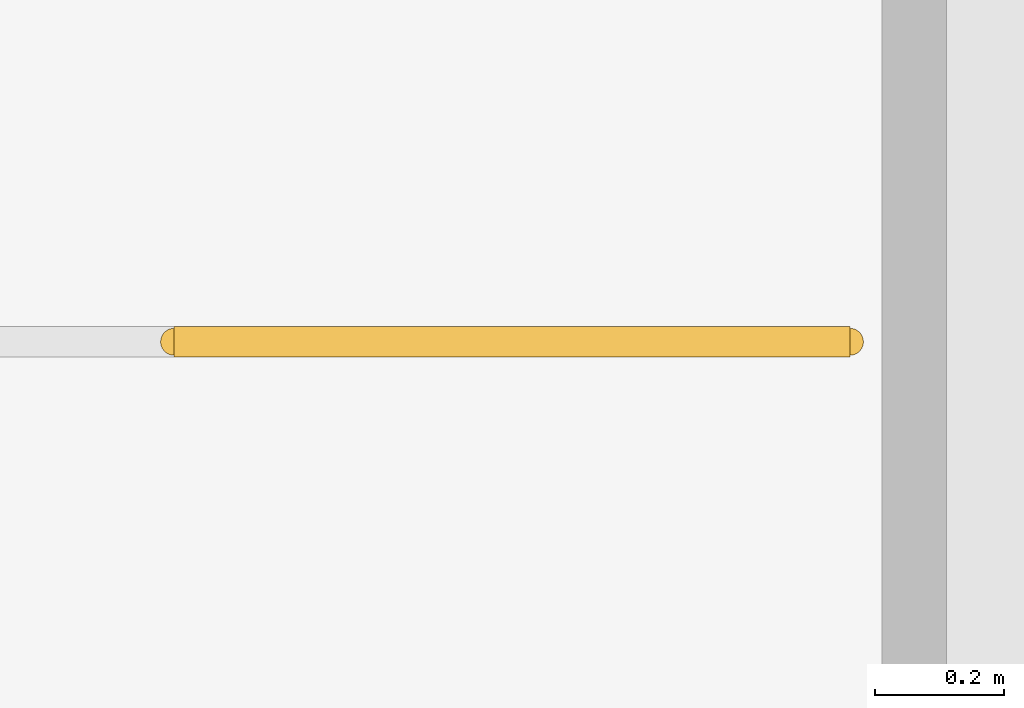
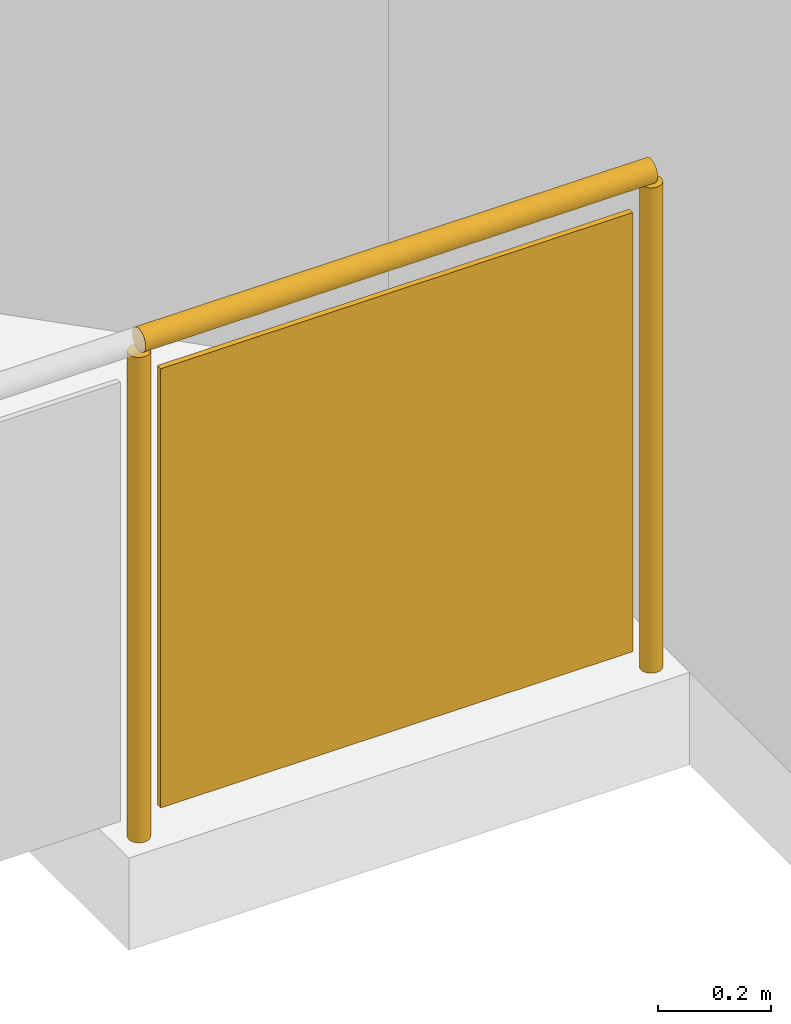
# One storey, part 21 of 21: 1 railing.
"""IFC4 building model written with IfcOpenShell, lengths in metres."""

from ifc_helpers import new_model, si_unit, direction, frame, origin, origin_2d, place, context, subcontext, project, spatial, polyline, circle, outline, extrude, material, type_object, element, save


model = new_model("IFC4")

# Units and contexts
model_context = context("Model", 3, precision=1e-05, world=origin(), true_north=direction((0.0, 1.0)))
body_context = subcontext(model_context, "Body", "Model", "MODEL_VIEW")
ifc_project = project(units=[si_unit("LENGTHUNIT", "METRE"), si_unit("AREAUNIT", "SQUARE_METRE"), si_unit("VOLUMEUNIT", "CUBIC_METRE"), si_unit("PLANEANGLEUNIT", "RADIAN"), si_unit("MASSUNIT", "GRAM", prefix="KILO")], contexts=[model_context])

# Site, building, storey
site_placement = place(None, origin())
site = spatial("IfcSite", under=ifc_project, at=site_placement, CompositionType="ELEMENT")
building_placement = place(site_placement, origin())
building = spatial("IfcBuilding", under=site, at=building_placement, Name="Torre Alcanfor", CompositionType="ELEMENT")
storey_placement = place(building_placement, frame((0.0, 0.0, 24.0)))
storey = spatial("IfcBuildingStorey", under=building, at=storey_placement, Name="L05", CompositionType="ELEMENT", Elevation=24.0)

# Railing
ifc_material = material(Name="Steel ASTM A500 Grade C hollow sections", Category="steel")
railing_type = type_object("IfcRailingType", Name="Stair guard and handrail 1100", PredefinedType="GUARDRAIL", material=ifc_material)
railing_placement = place(storey_placement, frame((59.449951171875, 56.625, 0.0)))
element("IfcRailing", 1, at=railing_placement, inside=storey, type_object=railing_type, Name="Stair well guard SS4 L05 facade strip", PredefinedType="GUARDRAIL", context=body_context, shape_type="SweptSolid", body=[
    extrude(circle(Radius=0.02392578125, at=origin_2d()), frame((0.0, 0.0, 1.076171875), z_axis=(-1.0, 0.0, 0.0), x_axis=(0.0, -1.0, 0.0)), (0.0, 0.0, 1.0), 1.050048828125),
    extrude(circle(Radius=0.02099609375, at=origin_2d()), origin(), (0.0, 0.0, 1.0), 1.052001953125),
    extrude(circle(Radius=0.02099609375, at=origin_2d()), frame((-1.050048828125, 0.0, 0.0)), (0.0, 0.0, 1.0), 1.052001953125),
    extrude(outline(polyline([(0.041015625, 0.050048828125), (1.009033203125, 0.050048828125), (1.009033203125, 1.001953125), (0.041015625, 1.001953125), (0.041015625, 0.050048828125)])), frame((0.0, -0.005859375, 0.0), z_axis=(0.0, 1.0, 0.0), x_axis=(-1.0, 0.0, 0.0)), (0.0, 0.0, 1.0), 0.011962890625),
])

save(model, "model.ifc")
